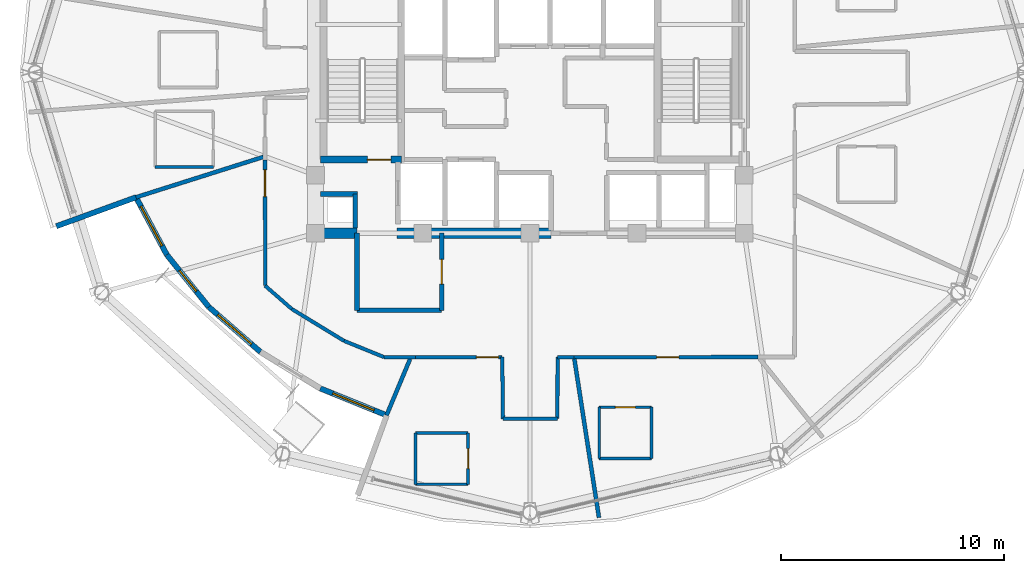
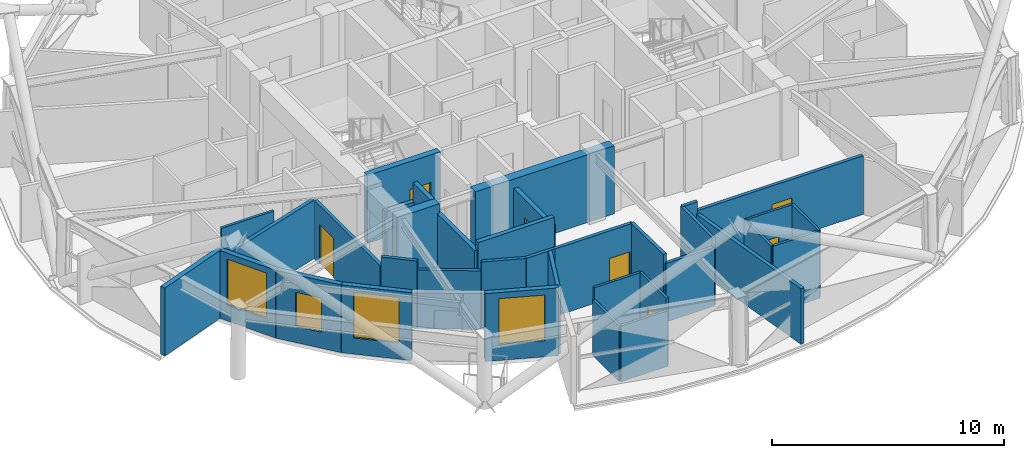
# One storey, part 10 of 18: 36 walls, 7 doors, 4 windows, 11 openings.
"""IFC4 building model written with IfcOpenShell, lengths in metres."""

from ifc_helpers import new_model, si_unit, direction, frame, frame_2d, origin, place, context, subcontext, project, spatial, rectangle, extrude, material, layer, layer_set, type_object, element, fill, save


model = new_model("IFC4")

# Units and contexts
model_context = context("Model", 3, precision=1e-05, world=origin(), true_north=direction((0.0, 1.0)))
body_context = subcontext(model_context, "Body", "Model", "MODEL_VIEW")
ifc_project = project(units=[si_unit("LENGTHUNIT", "METRE"), si_unit("AREAUNIT", "SQUARE_METRE"), si_unit("VOLUMEUNIT", "CUBIC_METRE"), si_unit("PLANEANGLEUNIT", "RADIAN"), si_unit("MASSUNIT", "GRAM", prefix="KILO")], contexts=[model_context])

# Site, building, storey
site_placement = place(None, origin())
site = spatial("IfcSite", under=ifc_project, at=site_placement, CompositionType="ELEMENT")
building_placement = place(site_placement, origin())
building = spatial("IfcBuilding", under=site, at=building_placement, Name="Vantalir Tower", CompositionType="ELEMENT")
storey_placement = place(building_placement, frame((0.0, 0.0, 212.39990234375)))
storey = spatial("IfcBuildingStorey", under=building, at=storey_placement, Name="L53", CompositionType="ELEMENT", Elevation=212.39990234375)

# Walls
ifc_material_1 = material(Name="Moisture-resistant en-suite partition", Category="gypsum")
ifc_layer_1 = layer(ifc_material_1, 0.125)
ifc_layer_set_1 = layer_set([ifc_layer_1], Name="Moisture-resistant en-suite partition")
wall_type_1 = type_object("IfcWallType", Name="WL-BATH-125", PredefinedType="PARTITIONING", material=ifc_layer_set_1)
wall_1_placement = place(storey_placement, frame((14.719970703125, 20.760986328125, 0.0), z_axis=(0.0, 0.0, 1.0), x_axis=(1.0, 0.0, 0.0)))
element("IfcWall", 1, at=wall_1_placement, inside=storey, type_object=wall_type_1, Name="L53 En-suite 09 South Wall", PredefinedType="PARTITIONING", context=body_context, shape_type="SweptSolid", body=[
    extrude(rectangle(XDim=2.60009765625, YDim=0.125, at=frame_2d((1.300048828125, 0.0))), origin(), (0.0, 0.0, 1.0), 3.550048828125),
])
wall_2_placement = place(storey_placement, frame((26.381103515625, 6.55810546875, 0.0), z_axis=(0.0, 0.0, 1.0), x_axis=(1.0, 0.0, 0.0)))
element("IfcWall", 2, at=wall_2_placement, inside=storey, type_object=wall_type_1, Name="L53 En-suite 11 South Wall", PredefinedType="PARTITIONING", context=body_context, shape_type="SweptSolid", body=[
    extrude(rectangle(XDim=2.349853515625, YDim=0.125, at=frame_2d((1.1748046875, 0.0))), origin(), (0.0, 0.0, 1.0), 2.925048828125),
])
wall_3_placement = place(storey_placement, frame((26.381103515625, 8.85791015625, 0.0), z_axis=(0.0, 0.0, 1.0), x_axis=(1.0, 0.0, 0.0)))
element("IfcWall", 3, at=wall_3_placement, inside=storey, type_object=wall_type_1, Name="L53 En-suite 11 North Wall", PredefinedType="PARTITIONING", context=body_context, shape_type="SweptSolid", body=[
    extrude(rectangle(XDim=2.349853515625, YDim=0.125, at=frame_2d((1.1748046875, 0.0))), origin(), (0.0, 0.0, 1.0), 3.550048828125),
])
wall_4_placement = place(storey_placement, frame((26.381103515625, 6.55810546875, 0.0), z_axis=(0.0, 0.0, 1.0), x_axis=(0.0, 1.0, 0.0)))
element("IfcWall", 4, at=wall_4_placement, inside=storey, type_object=wall_type_1, Name="L53 En-suite 11 West Wall", PredefinedType="PARTITIONING", context=body_context, shape_type="SweptSolid", body=[
    extrude(rectangle(XDim=2.2998046875, YDim=0.125, at=frame_2d((1.14990234375, 0.0))), origin(), (0.0, 0.0, 1.0), 2.925048828125),
])

# Wall, opening, door
wall_5_placement = place(storey_placement, frame((28.73095703125, 6.55810546875, 0.0), z_axis=(0.0, 0.0, 1.0), x_axis=(0.0, 1.0, 0.0)))
wall_5 = element("IfcWall", 5, at=wall_5_placement, inside=storey, type_object=wall_type_1, Name="L53 En-suite 11 East Wall", PredefinedType="PARTITIONING", context=body_context, shape_type="SweptSolid", body=[
    extrude(rectangle(XDim=2.2998046875, YDim=0.125, at=frame_2d((1.14990234375, 0.0))), origin(), (0.0, 0.0, 1.0), 3.550048828125),
])
opening_1_placement = place(wall_5_placement, frame((0.699951171875, 0.0, 0.0)))
opening_1 = element("IfcOpeningElement", 6, at=opening_1_placement, cuts=wall_5, Name="Opening D-WC", PredefinedType="OPENING", context=body_context, shape_type="SweptSolid", body=[
    extrude(rectangle(XDim=0.89990234375, YDim=2.10009765625, at=frame_2d((0.449951171875, 1.050048828125))), frame((0.0, 0.072509765625, 0.0), z_axis=(0.0, -1.0, 0.0), x_axis=(1.0, 0.0, 0.0)), (0.0, 0.0, 1.0), 0.14501953125),
])
ifc_material_2 = material(Name="Moisture-resistant hardwood door", Category="wood")
door_type_1 = type_object("IfcDoorType", Name="DR-ENSUITE-900", OperationType="NOTDEFINED", PredefinedType="DOOR", material=ifc_material_2)
door_1_placement = place(opening_1_placement, origin())
door_1 = element("IfcDoor", 7, at=door_1_placement, inside=storey, type_object=door_type_1, Name="L53 En-suite 11 Door", OperationType="SINGLE_SWING_LEFT", OverallHeight=2.10009765625, OverallWidth=0.89990234375, PredefinedType="DOOR", context=body_context, shape_type="SweptSolid", body=[
    extrude(rectangle(XDim=0.89990234375, YDim=2.10009765625, at=frame_2d((0.449951171875, 1.050048828125))), frame((0.0, 0.02490234375, 0.0), z_axis=(0.0, -1.0, 0.0), x_axis=(1.0, 0.0, 0.0)), (0.0, 0.0, 1.0), 0.050048828125),
])
fill(opening_1, door_1)

# Wall
wall_6_placement = place(storey_placement, frame((34.60107421875, 7.7080078125, 0.0), z_axis=(0.0, 0.0, 1.0), x_axis=(1.0, 0.0, 0.0)))
element("IfcWall", 8, at=wall_6_placement, inside=storey, type_object=wall_type_1, Name="L53 En-suite 12 South Wall", PredefinedType="PARTITIONING", context=body_context, shape_type="SweptSolid", body=[
    extrude(rectangle(XDim=2.349853515625, YDim=0.125, at=frame_2d((1.1748046875, 0.0))), origin(), (0.0, 0.0, 1.0), 3.550048828125),
])

# Wall, opening, door
wall_7_placement = place(storey_placement, frame((34.60107421875, 10.008056640625, 0.0), z_axis=(0.0, 0.0, 1.0), x_axis=(1.0, 0.0, 0.0)))
wall_7 = element("IfcWall", 9, at=wall_7_placement, inside=storey, type_object=wall_type_1, Name="L53 En-suite 12 North Wall", PredefinedType="PARTITIONING", context=body_context, shape_type="SweptSolid", body=[
    extrude(rectangle(XDim=2.349853515625, YDim=0.125, at=frame_2d((1.1748046875, 0.0))), origin(), (0.0, 0.0, 1.0), 3.550048828125),
])
opening_2_placement = place(wall_7_placement, frame((0.72509765625, 0.0, 0.0)))
opening_2 = element("IfcOpeningElement", 10, at=opening_2_placement, cuts=wall_7, Name="Opening D-WC", PredefinedType="OPENING", context=body_context, shape_type="SweptSolid", body=[
    extrude(rectangle(XDim=0.89990234375, YDim=2.10009765625, at=frame_2d((0.449951171875, 1.050048828125))), frame((0.0, 0.072509765625, 0.0), z_axis=(0.0, -1.0, 0.0), x_axis=(1.0, 0.0, 0.0)), (0.0, 0.0, 1.0), 0.14501953125),
])
door_2_placement = place(opening_2_placement, frame((0.89990234375, 0.0, 0.0), z_axis=(0.0, 0.0, 1.0), x_axis=(-1.0, 0.0, 0.0)))
door_2 = element("IfcDoor", 11, at=door_2_placement, inside=storey, type_object=door_type_1, Name="L53 En-suite 12 Door", OperationType="SINGLE_SWING_RIGHT", OverallHeight=2.10009765625, OverallWidth=0.89990234375, PredefinedType="DOOR", context=body_context, shape_type="SweptSolid", body=[
    extrude(rectangle(XDim=0.89990234375, YDim=2.10009765625, at=frame_2d((0.449951171875, 1.050048828125))), frame((0.0, 0.02490234375, 0.0), z_axis=(0.0, -1.0, 0.0), x_axis=(1.0, 0.0, 0.0)), (0.0, 0.0, 1.0), 0.050048828125),
])
fill(opening_2, door_2)

# Walls
for number, where, z_axis, x_axis, name in (
    (12, (34.60107421875, 7.7080078125, 0.0), (0.0, 0.0, 1.0), (0.0, 1.0, 0.0), "L53 En-suite 12 West Wall"),
    (13, (36.950927734375, 7.7080078125, 0.0), (0.0, 0.0, 1.0), (0.0, 1.0, 0.0), "L53 En-suite 12 East Wall"),
):
    element("IfcWall", number, at=place(storey_placement, frame(where, z_axis=z_axis, x_axis=x_axis)), inside=storey, type_object=wall_type_1, Name=name, PredefinedType="PARTITIONING", context=body_context, shape_type="SweptSolid", body=[
        extrude(rectangle(XDim=2.300048828125, YDim=0.125, at=frame_2d((1.14990234375, 0.0))), origin(), (0.0, 0.0, 1.0), 3.550048828125),
    ])
ifc_material_3 = material(Name="Concrete C50/60", Category="concrete")
ifc_layer_2 = layer(ifc_material_3, 0.449951171875)
ifc_layer_set_2 = layer_set([ifc_layer_2], Name="Concrete C50/60")
wall_type_2 = type_object("IfcWallType", Name="WL-CORE-450", PredefinedType="SHEAR", material=ifc_layer_set_2)
wall_8_placement = place(storey_placement, frame((21.675048828125, 17.800048828125, 0.0), z_axis=(0.0, 0.0, 1.0), x_axis=(1.0, 0.0, 0.0)))
element("IfcWall", 14, at=wall_8_placement, inside=storey, type_object=wall_type_2, Name="L53 Core Shear Wall South-West", PredefinedType="SHEAR", context=body_context, shape_type="SweptSolid", body=[
    extrude(rectangle(XDim=2.074951171875, YDim=0.449951171875, at=frame_2d((1.03759765625, 0.0))), origin(), (0.0, 0.0, 1.0), 3.570068359375),
])
wall_9_placement = place(storey_placement, frame((25.550048828125, 17.800048828125, 0.0), z_axis=(0.0, 0.0, 1.0), x_axis=(1.0, 0.0, 0.0)))
element("IfcWall", 15, at=wall_9_placement, inside=storey, type_object=wall_type_2, Name="L53 Core Shear Wall South-Mid", PredefinedType="SHEAR", context=body_context, shape_type="SweptSolid", body=[
    extrude(rectangle(XDim=6.89990234375, YDim=0.449951171875, at=frame_2d((3.449951171875, 0.0))), origin(), (0.0, 0.0, 1.0), 3.570068359375),
])

# Wall, opening, door
ifc_material_4 = material(Name="Fire-rated hotel corridor acoustic partition", Category="gypsum")
ifc_layer_3 = layer(ifc_material_4, 0.159912109375)
ifc_layer_set_3 = layer_set([ifc_layer_3], Name="Fire-rated hotel corridor acoustic partition")
wall_type_3 = type_object("IfcWallType", Name="WL-CORR-160", PredefinedType="PARTITIONING", material=ifc_layer_set_3)
wall_10_placement = place(storey_placement, frame((41.72607421875, 12.258056640625, 0.0), z_axis=(0.0, 0.0, 1.0), x_axis=(-0.999999631492, -0.000858495835, 0.0)))
wall_10 = element("IfcWall", 16, at=wall_10_placement, inside=storey, type_object=wall_type_3, Name="L53 Corridor Partition 22", PredefinedType="PARTITIONING", context=body_context, shape_type="SweptSolid", body=[
    extrude(rectangle(XDim=8.2470703125, YDim=0.159912109375, at=frame_2d((4.12353515625, 0.0))), origin(), (0.0, 0.0, 1.0), 3.0810546875),
])
opening_3_placement = place(wall_10_placement, frame((3.550048828125, 0.0, 0.0)))
opening_3 = element("IfcOpeningElement", 17, at=opening_3_placement, cuts=wall_10, Name="Opening D-GUEST", PredefinedType="OPENING", context=body_context, shape_type="SweptSolid", body=[
    extrude(rectangle(XDim=1.0, YDim=2.10009765625, at=frame_2d((0.5, 1.050048828125))), frame((0.0, 0.08984375, 0.0), z_axis=(0.0, -1.0, 0.0), x_axis=(1.0, 0.0, 0.0)), (0.0, 0.0, 1.0), 0.179931640625),
])
ifc_material_5 = material(Name="Solid-core teak veneer acoustic fire door", Category="wood")
door_type_2 = type_object("IfcDoorType", Name="DR-GUEST-ENTRY-1000", OperationType="NOTDEFINED", PredefinedType="DOOR", material=ifc_material_5)
door_3_placement = place(opening_3_placement, origin())
door_3 = element("IfcDoor", 18, at=door_3_placement, inside=storey, type_object=door_type_2, Name="L53 Twin Queen Hotel Room 12 Door", OperationType="SINGLE_SWING_LEFT", OverallHeight=2.10009765625, OverallWidth=1.0, PredefinedType="DOOR", context=body_context, shape_type="SweptSolid", body=[
    extrude(rectangle(XDim=1.0, YDim=2.10009765625, at=frame_2d((0.5, 1.050048828125))), frame((0.0, 0.02490234375, 0.0), z_axis=(0.0, -1.0, 0.0), x_axis=(1.0, 0.0, 0.0)), (0.0, 0.0, 1.0), 0.050048828125),
])
fill(opening_3, door_3)

# Walls
wall_11_placement = place(storey_placement, frame((33.47900390625, 12.2509765625, 0.0), z_axis=(0.0, 0.0, 1.0), x_axis=(-0.999999126899, -0.001321439216, 0.0)))
element("IfcWall", 19, at=wall_11_placement, inside=storey, type_object=wall_type_3, Name="L53 Corridor Partition 23", PredefinedType="PARTITIONING", context=body_context, shape_type="SweptSolid", body=[
    extrude(rectangle(XDim=0.739013671875, YDim=0.159912109375, at=frame_2d((0.36962890625, 0.0))), origin(), (0.0, 0.0, 1.0), 3.550048828125),
])
wall_12_placement = place(storey_placement, frame((32.739990234375, 12.25, 0.0), z_axis=(0.0, 0.0, 1.0), x_axis=(-0.003282452153, -0.999994612739, 0.0)))
element("IfcWall", 20, at=wall_12_placement, inside=storey, type_object=wall_type_3, Name="L53 Corridor Partition 24", PredefinedType="PARTITIONING", context=body_context, shape_type="SweptSolid", body=[
    extrude(rectangle(XDim=2.751953125, YDim=0.159912109375, at=frame_2d((1.3759765625, 0.0))), origin(), (0.0, 0.0, 1.0), 3.550048828125),
])
wall_13_placement = place(storey_placement, frame((32.73095703125, 9.498046875, 0.0), z_axis=(0.0, 0.0, 1.0), x_axis=(-0.999980680225, -0.006216041926, 0.0)))
element("IfcWall", 21, at=wall_13_placement, inside=storey, type_object=wall_type_3, Name="L53 Corridor Partition 25", PredefinedType="PARTITIONING", context=body_context, shape_type="SweptSolid", body=[
    extrude(rectangle(XDim=2.43505859375, YDim=0.159912109375, at=frame_2d((1.217529296875, 0.0))), origin(), (0.0, 0.0, 1.0), 3.0810546875),
])
wall_14_placement = place(storey_placement, frame((30.2958984375, 9.48291015625, 0.0), z_axis=(0.0, 0.0, 1.0), x_axis=(-0.012968734574, 0.999915902426, 0.0)))
element("IfcWall", 22, at=wall_14_placement, inside=storey, type_object=wall_type_3, Name="L53 Corridor Partition 26", PredefinedType="PARTITIONING", context=body_context, shape_type="SweptSolid", body=[
    extrude(rectangle(XDim=2.767333984375, YDim=0.159912109375, at=frame_2d((1.3837890625, 0.0))), origin(), (0.0, 0.0, 1.0), 3.550048828125),
])

# Wall, opening, door
wall_15_placement = place(storey_placement, frame((30.260009765625, 12.25, 0.0), z_axis=(0.0, 0.0, 1.0), x_axis=(-0.999999968423, 0.00025130363, 0.0)))
wall_15 = element("IfcWall", 23, at=wall_15_placement, inside=storey, type_object=wall_type_3, Name="L53 Corridor Partition 27", PredefinedType="PARTITIONING", context=body_context, shape_type="SweptSolid", body=[
    extrude(rectangle(XDim=3.885986328125, YDim=0.159912109375, at=frame_2d((1.94287109375, 0.0))), origin(), (0.0, 0.0, 1.0), 3.550048828125),
])
opening_4_placement = place(wall_15_placement, frame((0.159912109375, 0.0, 0.0)))
opening_4 = element("IfcOpeningElement", 24, at=opening_4_placement, cuts=wall_15, Name="Opening D-GUEST", PredefinedType="OPENING", context=body_context, shape_type="SweptSolid", body=[
    extrude(rectangle(XDim=1.0, YDim=2.10009765625, at=frame_2d((0.5, 1.050048828125))), frame((0.0, 0.08984375, 0.0), z_axis=(0.0, -1.0, 0.0), x_axis=(1.0, 0.0, 0.0)), (0.0, 0.0, 1.0), 0.179931640625),
])
door_4_placement = place(opening_4_placement, origin())
door_4 = element("IfcDoor", 25, at=door_4_placement, inside=storey, type_object=door_type_2, Name="L53 Deluxe King Hotel Room 11 Door", OperationType="SINGLE_SWING_RIGHT", OverallHeight=2.10009765625, OverallWidth=1.0, PredefinedType="DOOR", context=body_context, shape_type="SweptSolid", body=[
    extrude(rectangle(XDim=1.0, YDim=2.10009765625, at=frame_2d((0.5, 1.050048828125))), frame((0.0, 0.02490234375, 0.0), z_axis=(0.0, -1.0, 0.0), x_axis=(1.0, 0.0, 0.0)), (0.0, 0.0, 1.0), 0.050048828125),
])
fill(opening_4, door_4)

# Walls
wall_16_placement = place(storey_placement, frame((26.3740234375, 12.2509765625, 0.0), z_axis=(0.0, 0.0, 1.0), x_axis=(-0.999999758454, 0.000695047617, 0.0)))
element("IfcWall", 26, at=wall_16_placement, inside=storey, type_object=wall_type_3, Name="L53 Corridor Partition 28", PredefinedType="PARTITIONING", context=body_context, shape_type="SweptSolid", body=[
    extrude(rectangle(XDim=1.405029296875, YDim=0.159912109375, at=frame_2d((0.70263671875, 0.0))), origin(), (0.0, 0.0, 1.0), 3.550048828125),
])
wall_17_placement = place(storey_placement, frame((24.968994140625, 12.251953125, 0.0), z_axis=(0.0, 0.0, 1.0), x_axis=(-0.926428103937, 0.376471736303, 0.0)))
element("IfcWall", 27, at=wall_17_placement, inside=storey, type_object=wall_type_3, Name="L53 Corridor Partition 29", PredefinedType="PARTITIONING", context=body_context, shape_type="SweptSolid", body=[
    extrude(rectangle(XDim=1.9365234375, YDim=0.159912109375, at=frame_2d((0.96826171875, 0.0))), origin(), (0.0, 0.0, 1.0), 3.550048828125),
])
wall_18_placement = place(storey_placement, frame((23.175048828125, 12.98095703125, 0.0), z_axis=(0.0, 0.0, 1.0), x_axis=(-0.853653362976, 0.520841565047, 0.0)))
element("IfcWall", 28, at=wall_18_placement, inside=storey, type_object=wall_type_3, Name="L53 Corridor Partition 30", PredefinedType="PARTITIONING", context=body_context, shape_type="SweptSolid", body=[
    extrude(rectangle(XDim=2.74365234375, YDim=0.159912109375, at=frame_2d((1.371826171875, 0.0))), origin(), (0.0, 0.0, 1.0), 3.0810546875),
])
wall_19_placement = place(storey_placement, frame((20.8330078125, 14.409912109375, 0.0), z_axis=(0.0, 0.0, 1.0), x_axis=(-0.753158287048, 0.657839338023, 0.0)))
element("IfcWall", 29, at=wall_19_placement, inside=storey, type_object=wall_type_3, Name="L53 Corridor Partition 31", PredefinedType="PARTITIONING", context=body_context, shape_type="SweptSolid", body=[
    extrude(rectangle(XDim=1.58544921875, YDim=0.159912109375, at=frame_2d((0.792724609375, 0.0))), origin(), (0.0, 0.0, 1.0), 3.550048828125),
])

# Wall, opening, door
wall_20_placement = place(storey_placement, frame((19.638916015625, 15.452880859375, 0.0), z_axis=(0.0, 0.0, 1.0), x_axis=(-0.000346410302, 0.99999994, 0.0)))
wall_20 = element("IfcWall", 30, at=wall_20_placement, inside=storey, type_object=wall_type_3, Name="L53 Corridor Partition 32", PredefinedType="PARTITIONING", context=body_context, shape_type="SweptSolid", body=[
    extrude(rectangle(XDim=5.63818359375, YDim=0.159912109375, at=frame_2d((2.819091796875, 0.0))), origin(), (0.0, 0.0, 1.0), 3.0810546875),
])
opening_5_placement = place(wall_20_placement, frame((3.98388671875, 0.0, 0.0)))
opening_5 = element("IfcOpeningElement", 31, at=opening_5_placement, cuts=wall_20, Name="Opening D-STE", PredefinedType="OPENING", context=body_context, shape_type="SweptSolid", body=[
    extrude(rectangle(XDim=1.199951171875, YDim=2.10009765625, at=frame_2d((0.60009765625, 1.050048828125))), frame((0.0, 0.08984375, 0.0), z_axis=(0.0, -1.0, 0.0), x_axis=(1.0, 0.0, 0.0)), (0.0, 0.0, 1.0), 0.179931640625),
])
ifc_material_6 = material(Name="Solid-core teak veneer suite entrance door", Category="wood")
door_type_3 = type_object("IfcDoorType", Name="DR-SUITE-ENTRY-1200", OperationType="NOTDEFINED", PredefinedType="DOOR", material=ifc_material_6)
door_5_placement = place(opening_5_placement, origin())
door_5 = element("IfcDoor", 32, at=door_5_placement, inside=storey, type_object=door_type_3, Name="L53 Sky Garden Conservatory Lounge 10 Door", OperationType="SINGLE_SWING_LEFT", OverallHeight=2.10009765625, OverallWidth=1.199951171875, PredefinedType="DOOR", context=body_context, shape_type="SweptSolid", body=[
    extrude(rectangle(XDim=1.199951171875, YDim=2.10009765625, at=frame_2d((0.60009765625, 1.050048828125))), frame((0.0, 0.02490234375, 0.0), z_axis=(0.0, -1.0, 0.0), x_axis=(1.0, 0.0, 0.0)), (0.0, 0.0, 1.0), 0.050048828125),
])
fill(opening_5, door_5)

# Wall
ifc_material_7 = material(Name="Precast concrete C40/50 insulated sky-garden wall", Category="concrete")
ifc_layer_4 = layer(ifc_material_7, 0.239990234375)
ifc_layer_set_4 = layer_set([ifc_layer_4], Name="Precast concrete C40/50 insulated sky-garden wall")
wall_type_4 = type_object("IfcWallType", Name="WL-EXT-SG-240", PredefinedType="SOLIDWALL", material=ifc_layer_set_4)
wall_21_placement = place(storey_placement, frame((10.2900390625, 18.113037109375, 0.0), z_axis=(0.0, 0.0, 1.0), x_axis=(0.939750271596, 0.34186170747, 0.0)))
element("IfcWall", 33, at=wall_21_placement, inside=storey, type_object=wall_type_4, Name="L53 SG3 Sky-Garden Return Wall A", PredefinedType="SOLIDWALL", context=body_context, shape_type="SweptSolid", body=[
    extrude(rectangle(XDim=3.800048828125, YDim=0.239990234375, at=frame_2d((1.89990234375, 0.0))), origin(), (0.0, 0.0, 1.0), 3.570068359375),
])

# Wall, opening, window
wall_22_placement = place(storey_placement, frame((13.861083984375, 19.412109375, 0.0), z_axis=(0.0, 0.0, 1.0), x_axis=(0.472249177179, -0.881465095539, 0.0)))
wall_22 = element("IfcWall", 34, at=wall_22_placement, inside=storey, type_object=wall_type_4, Name="L53 SG3 Sky-Garden Lounge Wall 1", PredefinedType="SOLIDWALL", context=body_context, shape_type="SweptSolid", body=[
    extrude(rectangle(XDim=2.92822265625, YDim=0.239990234375, at=frame_2d((1.464111328125, 0.0))), origin(), (0.0, 0.0, 1.0), 3.570068359375),
])
opening_6_placement = place(wall_22_placement, frame((0.464111328125, 0.0, 0.85009765625)))
opening_6 = element("IfcOpeningElement", 35, at=opening_6_placement, cuts=wall_22, Name="Opening WN-3", PredefinedType="OPENING", context=body_context, shape_type="SweptSolid", body=[
    extrude(rectangle(XDim=2.0, YDim=2.39990234375, at=frame_2d((1.0, 1.199951171875))), frame((0.0, 0.1298828125, 0.0), z_axis=(0.0, -1.0, 0.0), x_axis=(1.0, 0.0, 0.0)), (0.0, 0.0, 1.0), 0.260009765625),
])
ifc_material_8 = material(Name="Double-silver Low-E sky-garden lounge window", Category="glass")
window_type_1 = type_object("IfcWindowType", Name="WIN-SG-2000x2400", PartitioningType="SINGLE_PANEL", PredefinedType="WINDOW", material=ifc_material_8)
window_1_placement = place(opening_6_placement, origin())
window_1 = element("IfcWindow", 36, at=window_1_placement, inside=storey, type_object=window_type_1, Name="L53 SG3 Sky-Garden Window 1", OverallHeight=2.39990234375, OverallWidth=2.0, PartitioningType="SINGLE_PANEL", PredefinedType="WINDOW", context=body_context, shape_type="SweptSolid", body=[
    extrude(rectangle(XDim=2.0, YDim=2.39990234375, at=frame_2d((1.0, 1.199951171875))), frame((0.0, 0.030029296875, 0.0), z_axis=(0.0, -1.0, 0.0), x_axis=(1.0, 0.0, 0.0)), (0.0, 0.0, 1.0), 0.06005859375),
])
fill(opening_6, window_1)

wall_23_placement = place(storey_placement, frame((15.243896484375, 16.8310546875, 0.0), z_axis=(0.0, 0.0, 1.0), x_axis=(0.627049238015, -0.778979623036, 0.0)))
wall_23 = element("IfcWall", 37, at=wall_23_placement, inside=storey, type_object=wall_type_4, Name="L53 SG3 Sky-Garden Lounge Wall 2", PredefinedType="SOLIDWALL", context=body_context, shape_type="SweptSolid", body=[
    extrude(rectangle(XDim=2.99365234375, YDim=0.239990234375, at=frame_2d((1.496826171875, 0.0))), origin(), (0.0, 0.0, 1.0), 3.570068359375),
])
opening_7_placement = place(wall_23_placement, frame((0.89697265625, 0.0, 0.85009765625)))
opening_7 = element("IfcOpeningElement", 38, at=opening_7_placement, cuts=wall_23, Name="Opening WN-4", PredefinedType="OPENING", context=body_context, shape_type="SweptSolid", body=[
    extrude(rectangle(XDim=1.199951171875, YDim=1.800048828125, at=frame_2d((0.60009765625, 0.89990234375))), frame((0.0, 0.1298828125, 0.0), z_axis=(0.0, -1.0, 0.0), x_axis=(1.0, 0.0, 0.0)), (0.0, 0.0, 1.0), 0.260009765625),
])
ifc_material_9 = material(Name="Operable smoke-vent Low-E window", Category="glass")
window_type_2 = type_object("IfcWindowType", Name="WIN-SG-1200x1800", PartitioningType="SINGLE_PANEL", PredefinedType="WINDOW", material=ifc_material_9)
window_2_placement = place(opening_7_placement, origin())
window_2 = element("IfcWindow", 39, at=window_2_placement, inside=storey, type_object=window_type_2, Name="L53 SG3 Sky-Garden Window 2", OverallHeight=1.800048828125, OverallWidth=1.199951171875, PartitioningType="SINGLE_PANEL", PredefinedType="WINDOW", context=body_context, shape_type="SweptSolid", body=[
    extrude(rectangle(XDim=1.199951171875, YDim=1.800048828125, at=frame_2d((0.60009765625, 0.89990234375))), frame((0.0, 0.030029296875, 0.0), z_axis=(0.0, -1.0, 0.0), x_axis=(1.0, 0.0, 0.0)), (0.0, 0.0, 1.0), 0.06005859375),
])
fill(opening_7, window_2)

wall_24_placement = place(storey_placement, frame((17.12109375, 14.4990234375, 0.0), z_axis=(0.0, 0.0, 1.0), x_axis=(0.754182059507, -0.656665379868, 0.0)))
wall_24 = element("IfcWall", 40, at=wall_24_placement, inside=storey, type_object=wall_type_4, Name="L53 SG3 Sky-Garden Lounge Wall 3", PredefinedType="SOLIDWALL", context=body_context, shape_type="SweptSolid", body=[
    extrude(rectangle(XDim=3.06689453125, YDim=0.239990234375, at=frame_2d((1.533447265625, 0.0))), origin(), (0.0, 0.0, 1.0), 3.570068359375),
])
opening_8_placement = place(wall_24_placement, frame((0.532958984375, 0.0, 0.85009765625)))
opening_8 = element("IfcOpeningElement", 41, at=opening_8_placement, cuts=wall_24, Name="Opening WN-3", PredefinedType="OPENING", context=body_context, shape_type="SweptSolid", body=[
    extrude(rectangle(XDim=2.0, YDim=2.39990234375, at=frame_2d((1.0, 1.199951171875))), frame((0.0, 0.1298828125, 0.0), z_axis=(0.0, -1.0, 0.0), x_axis=(1.0, 0.0, 0.0)), (0.0, 0.0, 1.0), 0.260009765625),
])
window_3_placement = place(opening_8_placement, origin())
window_3 = element("IfcWindow", 42, at=window_3_placement, inside=storey, type_object=window_type_1, Name="L53 SG3 Sky-Garden Window 3", OverallHeight=2.39990234375, OverallWidth=2.0, PartitioningType="SINGLE_PANEL", PredefinedType="WINDOW", context=body_context, shape_type="SweptSolid", body=[
    extrude(rectangle(XDim=2.0, YDim=2.39990234375, at=frame_2d((1.0, 1.199951171875))), frame((0.0, 0.030029296875, 0.0), z_axis=(0.0, -1.0, 0.0), x_axis=(1.0, 0.0, 0.0)), (0.0, 0.0, 1.0), 0.06005859375),
])
fill(opening_8, window_3)

wall_25_placement = place(storey_placement, frame((22.114013671875, 10.85205078125, 0.0), z_axis=(0.0, 0.0, 1.0), x_axis=(0.926560458876, -0.376145870704, 0.0)))
wall_25 = element("IfcWall", 43, at=wall_25_placement, inside=storey, type_object=wall_type_4, Name="L53 SG3 Sky-Garden Lounge Wall 5", PredefinedType="SOLIDWALL", context=body_context, shape_type="SweptSolid", body=[
    extrude(rectangle(XDim=3.201171875, YDim=0.239990234375, at=frame_2d((1.6005859375, 0.0))), origin(), (0.0, 0.0, 1.0), 3.570068359375),
])
opening_9_placement = place(wall_25_placement, frame((0.60107421875, 0.0, 0.85009765625)))
opening_9 = element("IfcOpeningElement", 44, at=opening_9_placement, cuts=wall_25, Name="Opening WN-3", PredefinedType="OPENING", context=body_context, shape_type="SweptSolid", body=[
    extrude(rectangle(XDim=2.0, YDim=2.39990234375, at=frame_2d((1.0, 1.199951171875))), frame((0.0, 0.1298828125, 0.0), z_axis=(0.0, -1.0, 0.0), x_axis=(1.0, 0.0, 0.0)), (0.0, 0.0, 1.0), 0.260009765625),
])
window_4_placement = place(opening_9_placement, origin())
window_4 = element("IfcWindow", 45, at=window_4_placement, inside=storey, type_object=window_type_1, Name="L53 SG3 Sky-Garden Window 5", OverallHeight=2.39990234375, OverallWidth=2.0, PartitioningType="SINGLE_PANEL", PredefinedType="WINDOW", context=body_context, shape_type="SweptSolid", body=[
    extrude(rectangle(XDim=2.0, YDim=2.39990234375, at=frame_2d((1.0, 1.199951171875))), frame((0.0, 0.030029296875, 0.0), z_axis=(0.0, -1.0, 0.0), x_axis=(1.0, 0.0, 0.0)), (0.0, 0.0, 1.0), 0.06005859375),
])
fill(opening_9, window_4)

# Walls
ifc_material_10 = material(Name="Concrete blockwork with fireboard lining", Category="masonry")
ifc_layer_5 = layer(ifc_material_10, 0.219970703125)
ifc_layer_set_5 = layer_set([ifc_layer_5], Name="Concrete blockwork with fireboard lining")
wall_type_5 = type_object("IfcWallType", Name="WL-FFL-220", PredefinedType="PARTITIONING", material=ifc_layer_set_5)
wall_26_placement = place(storey_placement, frame((23.679931640625, 18.02490234375, 0.0), z_axis=(0.0, 0.0, 1.0), x_axis=(0.0, 1.0, 0.0)))
element("IfcWall", 46, at=wall_26_placement, inside=storey, type_object=wall_type_5, Name="L53 West MEP Riser Wall E", PredefinedType="PARTITIONING", context=body_context, shape_type="SweptSolid", body=[
    extrude(rectangle(XDim=1.525146484375, YDim=0.219970703125, at=frame_2d((0.7626953125, 0.0))), origin(), (0.0, 0.0, 1.0), 3.550048828125),
])
wall_27_placement = place(storey_placement, frame((22.125, 19.550048828125, 0.0), z_axis=(0.0, 0.0, 1.0), x_axis=(1.0, 0.0, 0.0)))
element("IfcWall", 47, at=wall_27_placement, inside=storey, type_object=wall_type_5, Name="L53 West MEP Riser Wall N", PredefinedType="PARTITIONING", context=body_context, shape_type="SweptSolid", body=[
    extrude(rectangle(XDim=1.6650390625, YDim=0.219970703125, at=frame_2d((0.83251953125, 0.0))), origin(), (0.0, 0.0, 1.0), 2.59521484375),
])
wall_28_placement = place(storey_placement, frame((23.75, 14.35009765625, 0.0), z_axis=(0.0, 0.0, 1.0), x_axis=(0.0, 1.0, 0.0)))
element("IfcWall", 48, at=wall_28_placement, inside=storey, type_object=wall_type_5, Name="L53 Firefighting Lobby West Outer W", PredefinedType="PARTITIONING", context=body_context, shape_type="SweptSolid", body=[
    extrude(rectangle(XDim=3.449951171875, YDim=0.219970703125, at=frame_2d((1.72509765625, 0.0))), origin(), (0.0, 0.0, 1.0), 3.0810546875),
])
wall_29_placement = place(storey_placement, frame((23.75, 14.35009765625, 0.0), z_axis=(0.0, 0.0, 1.0), x_axis=(1.0, 0.0, 0.0)))
element("IfcWall", 49, at=wall_29_placement, inside=storey, type_object=wall_type_5, Name="L53 Firefighting Lobby West South Wall", PredefinedType="PARTITIONING", context=body_context, shape_type="SweptSolid", body=[
    extrude(rectangle(XDim=3.800048828125, YDim=0.219970703125, at=frame_2d((1.89990234375, 0.0))), origin(), (0.0, 0.0, 1.0), 3.550048828125),
])

# Wall, opening, door
wall_30_placement = place(storey_placement, frame((27.550048828125, 14.35009765625, 0.0), z_axis=(0.0, 0.0, 1.0), x_axis=(0.0, 1.0, 0.0)))
wall_30 = element("IfcWall", 50, at=wall_30_placement, inside=storey, type_object=wall_type_5, Name="L53 Firefighting Lobby West East Wall", PredefinedType="PARTITIONING", context=body_context, shape_type="SweptSolid", body=[
    extrude(rectangle(XDim=3.449951171875, YDim=0.219970703125, at=frame_2d((1.72509765625, 0.0))), origin(), (0.0, 0.0, 1.0), 3.0810546875),
])
opening_10_placement = place(wall_30_placement, frame((1.175048828125, 0.0, 0.0)))
opening_10 = element("IfcOpeningElement", 51, at=opening_10_placement, cuts=wall_30, Name="Opening D-FFL", PredefinedType="OPENING", context=body_context, shape_type="SweptSolid", body=[
    extrude(rectangle(XDim=1.10009765625, YDim=2.10009765625, at=frame_2d((0.550048828125, 1.050048828125))), frame((0.0, 0.119873046875, 0.0), z_axis=(0.0, -1.0, 0.0), x_axis=(1.0, 0.0, 0.0)), (0.0, 0.0, 1.0), 0.239990234375),
])
ifc_material_11 = material(Name="Fire-rated acoustic steel door", Category="steel")
door_type_4 = type_object("IfcDoorType", Name="DR-FIRE-LOBBY-1100", OperationType="NOTDEFINED", PredefinedType="DOOR", material=ifc_material_11)
door_6_placement = place(opening_10_placement, origin())
door_6 = element("IfcDoor", 52, at=door_6_placement, inside=storey, type_object=door_type_4, Name="L53 Firefighting Lobby West Access Door", OperationType="SINGLE_SWING_RIGHT", OverallHeight=2.10009765625, OverallWidth=1.10009765625, PredefinedType="DOOR", context=body_context, shape_type="SweptSolid", body=[
    extrude(rectangle(XDim=1.10009765625, YDim=2.10009765625, at=frame_2d((0.550048828125, 1.050048828125))), frame((0.0, 0.02490234375, 0.0), z_axis=(0.0, -1.0, 0.0), x_axis=(1.0, 0.0, 0.0)), (0.0, 0.0, 1.0), 0.050048828125),
])
fill(opening_10, door_6)

# Walls
ifc_material_12 = material(Name="Twin-stud acoustic fire-rated gypsum partition", Category="gypsum")
ifc_layer_6 = layer(ifc_material_12, 0.179931640625)
ifc_layer_set_6 = layer_set([ifc_layer_6], Name="Twin-stud acoustic fire-rated gypsum partition")
wall_type_6 = type_object("IfcWallType", Name="WL-GUEST-180", PredefinedType="PARTITIONING", material=ifc_layer_set_6)
wall_31_placement = place(storey_placement, frame((19.56005859375, 21.217041015625, 0.0), z_axis=(0.0, 0.0, 1.0), x_axis=(-0.95332988283, -0.301930678309, 0.0)))
element("IfcWall", 53, at=wall_31_placement, inside=storey, type_object=wall_type_6, Name="L53 Radial Suite Partition 10", PredefinedType="PARTITIONING", context=body_context, shape_type="SweptSolid", body=[
    extrude(rectangle(XDim=5.97802734375, YDim=0.179931640625, at=frame_2d((2.989013671875, 0.0))), origin(), (0.0, 0.0, 1.0), 3.0810546875),
])
wall_32_placement = place(storey_placement, frame((26.136962890625, 12.175048828125, 0.0), z_axis=(0.0, 0.0, 1.0), x_axis=(-0.385836474989, -0.922567187021, 0.0)))
element("IfcWall", 54, at=wall_32_placement, inside=storey, type_object=wall_type_6, Name="L53 Radial Suite Partition 11", PredefinedType="PARTITIONING", context=body_context, shape_type="SweptSolid", body=[
    extrude(rectangle(XDim=2.7392578125, YDim=0.179931640625, at=frame_2d((1.36962890625, 0.0))), origin(), (0.0, 0.0, 1.0), 3.550048828125),
])
wall_33_placement = place(storey_placement, frame((33.490966796875, 12.175048828125, 0.0), z_axis=(0.0, 0.0, 1.0), x_axis=(0.153301339962, -0.988179487323, 0.0)))
element("IfcWall", 55, at=wall_33_placement, inside=storey, type_object=wall_type_6, Name="L53 Radial Suite Partition 12", PredefinedType="PARTITIONING", context=body_context, shape_type="SweptSolid", body=[
    extrude(rectangle(XDim=7.195068359375, YDim=0.179931640625, at=frame_2d((3.59765625, 0.0))), origin(), (0.0, 0.0, 1.0), 2.925048828125),
])

# Wall, opening, door
ifc_layer_7 = layer(ifc_material_3, 0.300048828125)
ifc_layer_set_7 = layer_set([ifc_layer_7], Name="Concrete C50/60")
wall_type_7 = type_object("IfcWallType", Name="WL-STAIR-300", PredefinedType="SHEAR", material=ifc_layer_set_7)
wall_34_placement = place(storey_placement, frame((22.125, 21.10009765625, 0.0), z_axis=(0.0, 0.0, 1.0), x_axis=(1.0, 0.0, 0.0)))
wall_34 = element("IfcWall", 56, at=wall_34_placement, inside=storey, type_object=wall_type_7, Name="L53 Stair ST1 South Wall", PredefinedType="SHEAR", context=body_context, shape_type="SweptSolid", body=[
    extrude(rectangle(XDim=3.614990234375, YDim=0.300048828125, at=frame_2d((1.8076171875, 0.0))), origin(), (0.0, 0.0, 1.0), 3.570068359375),
])
opening_11_placement = place(wall_34_placement, frame((2.094970703125, 0.0, 0.0)))
opening_11 = element("IfcOpeningElement", 57, at=opening_11_placement, cuts=wall_34, Name="Opening D-ST", PredefinedType="OPENING", context=body_context, shape_type="SweptSolid", body=[
    extrude(rectangle(XDim=1.050048828125, YDim=2.10009765625, at=frame_2d((0.52490234375, 1.050048828125))), frame((0.0, 0.159912109375, 0.0), z_axis=(0.0, -1.0, 0.0), x_axis=(1.0, 0.0, 0.0)), (0.0, 0.0, 1.0), 0.320068359375),
])
ifc_material_13 = material(Name="Fire-rated steel door leaf", Category="steel")
door_type_5 = type_object("IfcDoorType", Name="DR-FIRE-STAIR-1050", OperationType="NOTDEFINED", PredefinedType="DOOR", material=ifc_material_13)
door_7_placement = place(opening_11_placement, origin())
door_7 = element("IfcDoor", 58, at=door_7_placement, inside=storey, type_object=door_type_5, Name="L53 Exit Stair ST1 Fire Door", OperationType="SINGLE_SWING_RIGHT", OverallHeight=2.10009765625, OverallWidth=1.050048828125, PredefinedType="DOOR", context=body_context, shape_type="SweptSolid", body=[
    extrude(rectangle(XDim=1.050048828125, YDim=2.10009765625, at=frame_2d((0.52490234375, 1.050048828125))), frame((0.0, 0.02490234375, 0.0), z_axis=(0.0, -1.0, 0.0), x_axis=(1.0, 0.0, 0.0)), (0.0, 0.0, 1.0), 0.050048828125),
])
fill(opening_11, door_7)

save(model, "model.ifc")
